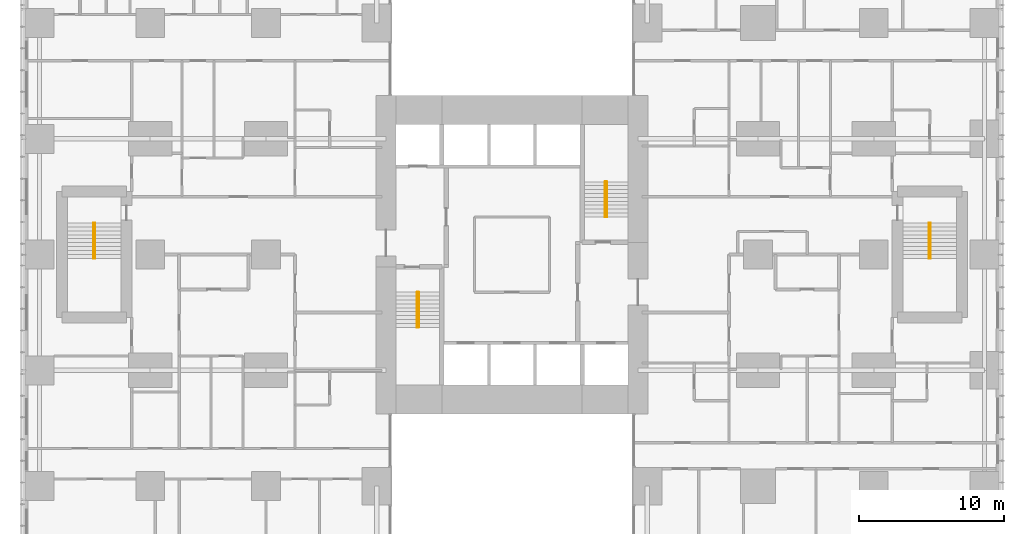
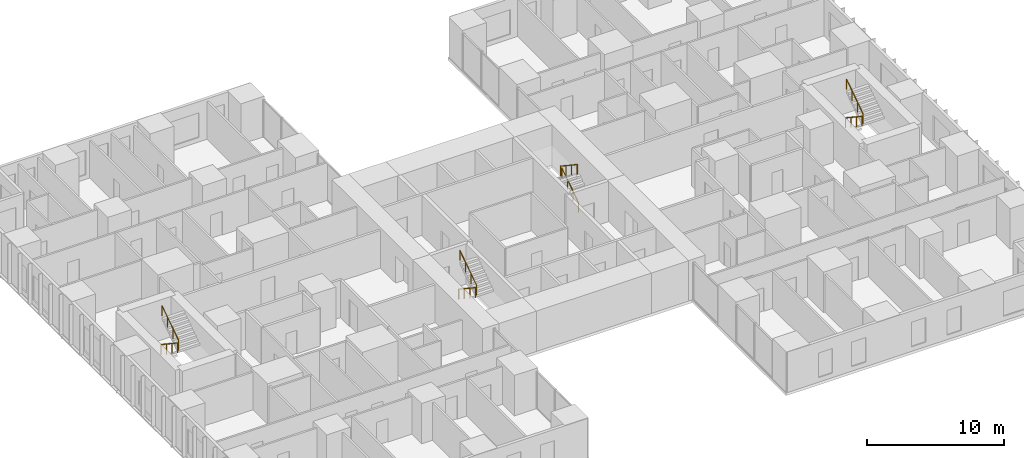
# One storey, part 20 of 20: 8 railings.
"""IFC4 building model written with IfcOpenShell, lengths in metres."""

from ifc_helpers import new_model, si_unit, direction, frame, origin, origin_2d, place, context, subcontext, project, spatial, circle, extrude, material, type_object, element, save


model = new_model("IFC4")

# Units and contexts
model_context = context("Model", 3, precision=1e-05, world=origin(), true_north=direction((0.0, 1.0)))
body_context = subcontext(model_context, "Body", "Model", "MODEL_VIEW")
ifc_project = project(units=[si_unit("LENGTHUNIT", "METRE"), si_unit("AREAUNIT", "SQUARE_METRE"), si_unit("VOLUMEUNIT", "CUBIC_METRE"), si_unit("PLANEANGLEUNIT", "RADIAN"), si_unit("MASSUNIT", "GRAM", prefix="KILO")], contexts=[model_context])

# Site, building, storey
site_placement = place(None, origin())
site = spatial("IfcSite", under=ifc_project, at=site_placement, CompositionType="ELEMENT")
building_placement = place(site_placement, origin())
building = spatial("IfcBuilding", under=site, at=building_placement, Name="Cleftline Residences", CompositionType="ELEMENT")
storey_placement = place(building_placement, frame((0.0, 0.0, 121.39990234375)))
storey = spatial("IfcBuildingStorey", under=building, at=storey_placement, Name="L31", CompositionType="ELEMENT", Elevation=121.39990234375)

# Railings
ifc_material = material(Name="Stainless steel", Category="steel")
railing_type = type_object("IfcRailingType", Name="HANDRAIL 900", PredefinedType="HANDRAIL", material=ifc_material)
railing_1_placement = place(storey_placement, frame((26.449951171875, 21.39990234375, 0.18017578125)))
element("IfcRailing", 1, at=railing_1_placement, inside=storey, type_object=railing_type, Name="Stair handrail", PredefinedType="HANDRAIL", context=body_context, shape_type="SweptSolid", body=[
    extrude(circle(Radius=0.02392578125, at=origin_2d()), frame((0.0, 0.0, 0.8759765625), z_axis=(0.0, -0.832063155534, 0.554680903946), x_axis=(1.0, 0.0, 0.0)), (0.0, 0.0, 1.0), 2.92041015625),
    extrude(circle(Radius=0.02099609375, at=origin_2d()), origin(), (0.0, 0.0, 1.0), 0.851806640625),
    extrude(circle(Radius=0.02099609375, at=origin_2d()), frame((0.0, -0.81005859375, 0.5400390625)), (0.0, 0.0, 1.0), 0.851806640625),
    extrude(circle(Radius=0.02099609375, at=origin_2d()), frame((0.0, -1.619873046875, 1.079833984375)), (0.0, 0.0, 1.0), 0.851806640625),
    extrude(circle(Radius=0.02099609375, at=origin_2d()), frame((0.0, -2.429931640625, 1.619873046875)), (0.0, 0.0, 1.0), 0.851806640625),
])
railing_2_placement = place(storey_placement, frame((26.550048828125, 18.969970703125, 1.97998046875)))
element("IfcRailing", 2, at=railing_2_placement, inside=storey, type_object=railing_type, Name="Stair handrail", PredefinedType="HANDRAIL", context=body_context, shape_type="SweptSolid", body=[
    extrude(circle(Radius=0.02392578125, at=origin_2d()), frame((0.0, 0.0, 0.8759765625), z_axis=(0.0, 0.832024571796, 0.554738778101), x_axis=(-1.0, 0.0, 0.0)), (0.0, 0.0, 1.0), 2.92041015625),
    extrude(circle(Radius=0.02099609375, at=origin_2d()), origin(), (0.0, 0.0, 1.0), 0.851806640625),
    extrude(circle(Radius=0.02099609375, at=origin_2d()), frame((0.0, 0.81005859375, 0.5400390625)), (0.0, 0.0, 1.0), 0.851806640625),
    extrude(circle(Radius=0.02099609375, at=origin_2d()), frame((0.0, 1.619873046875, 1.080078125)), (0.0, 0.0, 1.0), 0.851806640625),
    extrude(circle(Radius=0.02099609375, at=origin_2d()), frame((0.0, 2.429931640625, 1.6201171875)), (0.0, 0.0, 1.0), 0.851806640625),
])
railing_3_placement = place(storey_placement, frame((39.550048828125, 26.60009765625, 0.18017578125)))
element("IfcRailing", 3, at=railing_3_placement, inside=storey, type_object=railing_type, Name="Stair handrail", PredefinedType="HANDRAIL", context=body_context, shape_type="SweptSolid", body=[
    extrude(circle(Radius=0.02392578125, at=origin_2d()), frame((0.0, 0.0, 0.8759765625), z_axis=(0.0, 0.832063155534, 0.554680903946), x_axis=(-1.0, 0.0, 0.0)), (0.0, 0.0, 1.0), 2.92041015625),
    extrude(circle(Radius=0.02099609375, at=origin_2d()), origin(), (0.0, 0.0, 1.0), 0.851806640625),
    extrude(circle(Radius=0.02099609375, at=origin_2d()), frame((0.0, 0.81005859375, 0.5400390625)), (0.0, 0.0, 1.0), 0.851806640625),
    extrude(circle(Radius=0.02099609375, at=origin_2d()), frame((0.0, 1.619873046875, 1.079833984375)), (0.0, 0.0, 1.0), 0.851806640625),
    extrude(circle(Radius=0.02099609375, at=origin_2d()), frame((0.0, 2.429931640625, 1.619873046875)), (0.0, 0.0, 1.0), 0.851806640625),
])
railing_4_placement = place(storey_placement, frame((39.449951171875, 29.030029296875, 1.97998046875)))
element("IfcRailing", 4, at=railing_4_placement, inside=storey, type_object=railing_type, Name="Stair handrail", PredefinedType="HANDRAIL", context=body_context, shape_type="SweptSolid", body=[
    extrude(circle(Radius=0.02392578125, at=origin_2d()), frame((0.0, 0.0, 0.8759765625), z_axis=(0.0, -0.832024571796, 0.554738778101), x_axis=(1.0, 0.0, 0.0)), (0.0, 0.0, 1.0), 2.92041015625),
    extrude(circle(Radius=0.02099609375, at=origin_2d()), origin(), (0.0, 0.0, 1.0), 0.851806640625),
    extrude(circle(Radius=0.02099609375, at=origin_2d()), frame((0.0, -0.81005859375, 0.5400390625)), (0.0, 0.0, 1.0), 0.851806640625),
    extrude(circle(Radius=0.02099609375, at=origin_2d()), frame((0.0, -1.619873046875, 1.080078125)), (0.0, 0.0, 1.0), 0.851806640625),
    extrude(circle(Radius=0.02099609375, at=origin_2d()), frame((0.0, -2.429931640625, 1.6201171875)), (0.0, 0.0, 1.0), 0.851806640625),
])
railing_5_placement = place(storey_placement, frame((61.824951171875, 26.175048828125, 0.18017578125)))
element("IfcRailing", 5, at=railing_5_placement, inside=storey, type_object=railing_type, Name="Stair handrail", PredefinedType="HANDRAIL", context=body_context, shape_type="SweptSolid", body=[
    extrude(circle(Radius=0.02392578125, at=origin_2d()), frame((0.0, 0.0, 0.8759765625), z_axis=(0.0, -0.832063155534, 0.554680903946), x_axis=(1.0, 0.0, 0.0)), (0.0, 0.0, 1.0), 2.92041015625),
    extrude(circle(Radius=0.02099609375, at=origin_2d()), origin(), (0.0, 0.0, 1.0), 0.851806640625),
    extrude(circle(Radius=0.02099609375, at=origin_2d()), frame((0.0, -0.81005859375, 0.5400390625)), (0.0, 0.0, 1.0), 0.851806640625),
    extrude(circle(Radius=0.02099609375, at=origin_2d()), frame((0.0, -1.619873046875, 1.079833984375)), (0.0, 0.0, 1.0), 0.851806640625),
    extrude(circle(Radius=0.02099609375, at=origin_2d()), frame((0.0, -2.429931640625, 1.619873046875)), (0.0, 0.0, 1.0), 0.851806640625),
])
railing_6_placement = place(storey_placement, frame((61.925048828125, 23.7451171875, 1.97998046875)))
element("IfcRailing", 6, at=railing_6_placement, inside=storey, type_object=railing_type, Name="Stair handrail", PredefinedType="HANDRAIL", context=body_context, shape_type="SweptSolid", body=[
    extrude(circle(Radius=0.02392578125, at=origin_2d()), frame((0.0, 0.0, 0.8759765625), z_axis=(0.0, 0.832024571796, 0.554738778101), x_axis=(-1.0, 0.0, 0.0)), (0.0, 0.0, 1.0), 2.92041015625),
    extrude(circle(Radius=0.02099609375, at=origin_2d()), origin(), (0.0, 0.0, 1.0), 0.851806640625),
    extrude(circle(Radius=0.02099609375, at=origin_2d()), frame((0.0, 0.81005859375, 0.5400390625)), (0.0, 0.0, 1.0), 0.851806640625),
    extrude(circle(Radius=0.02099609375, at=origin_2d()), frame((0.0, 1.619873046875, 1.080078125)), (0.0, 0.0, 1.0), 0.851806640625),
    extrude(circle(Radius=0.02099609375, at=origin_2d()), frame((0.0, 2.429931640625, 1.6201171875)), (0.0, 0.0, 1.0), 0.851806640625),
])
railing_7_placement = place(storey_placement, frame((4.074951171875, 26.175048828125, 0.18017578125)))
element("IfcRailing", 7, at=railing_7_placement, inside=storey, type_object=railing_type, Name="Stair handrail", PredefinedType="HANDRAIL", context=body_context, shape_type="SweptSolid", body=[
    extrude(circle(Radius=0.02392578125, at=origin_2d()), frame((0.0, 0.0, 0.8759765625), z_axis=(0.0, -0.832063155534, 0.554680903946), x_axis=(1.0, 0.0, 0.0)), (0.0, 0.0, 1.0), 2.92041015625),
    extrude(circle(Radius=0.02099609375, at=origin_2d()), origin(), (0.0, 0.0, 1.0), 0.851806640625),
    extrude(circle(Radius=0.02099609375, at=origin_2d()), frame((0.0, -0.81005859375, 0.5400390625)), (0.0, 0.0, 1.0), 0.851806640625),
    extrude(circle(Radius=0.02099609375, at=origin_2d()), frame((0.0, -1.619873046875, 1.079833984375)), (0.0, 0.0, 1.0), 0.851806640625),
    extrude(circle(Radius=0.02099609375, at=origin_2d()), frame((0.0, -2.429931640625, 1.619873046875)), (0.0, 0.0, 1.0), 0.851806640625),
])
railing_8_placement = place(storey_placement, frame((4.175048828125, 23.7451171875, 1.97998046875)))
element("IfcRailing", 8, at=railing_8_placement, inside=storey, type_object=railing_type, Name="Stair handrail", PredefinedType="HANDRAIL", context=body_context, shape_type="SweptSolid", body=[
    extrude(circle(Radius=0.02392578125, at=origin_2d()), frame((0.0, 0.0, 0.8759765625), z_axis=(0.0, 0.832024571796, 0.554738778101), x_axis=(-1.0, 0.0, 0.0)), (0.0, 0.0, 1.0), 2.92041015625),
    extrude(circle(Radius=0.02099609375, at=origin_2d()), origin(), (0.0, 0.0, 1.0), 0.851806640625),
    extrude(circle(Radius=0.02099609375, at=origin_2d()), frame((0.0, 0.81005859375, 0.5400390625)), (0.0, 0.0, 1.0), 0.851806640625),
    extrude(circle(Radius=0.02099609375, at=origin_2d()), frame((0.0, 1.619873046875, 1.080078125)), (0.0, 0.0, 1.0), 0.851806640625),
    extrude(circle(Radius=0.02099609375, at=origin_2d()), frame((0.0, 2.429931640625, 1.6201171875)), (0.0, 0.0, 1.0), 0.851806640625),
])

save(model, "model.ifc")
